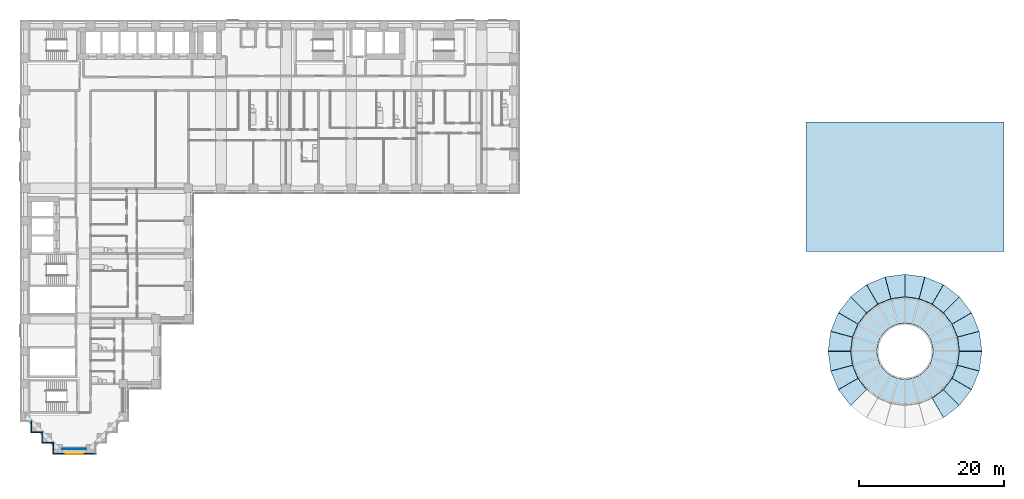
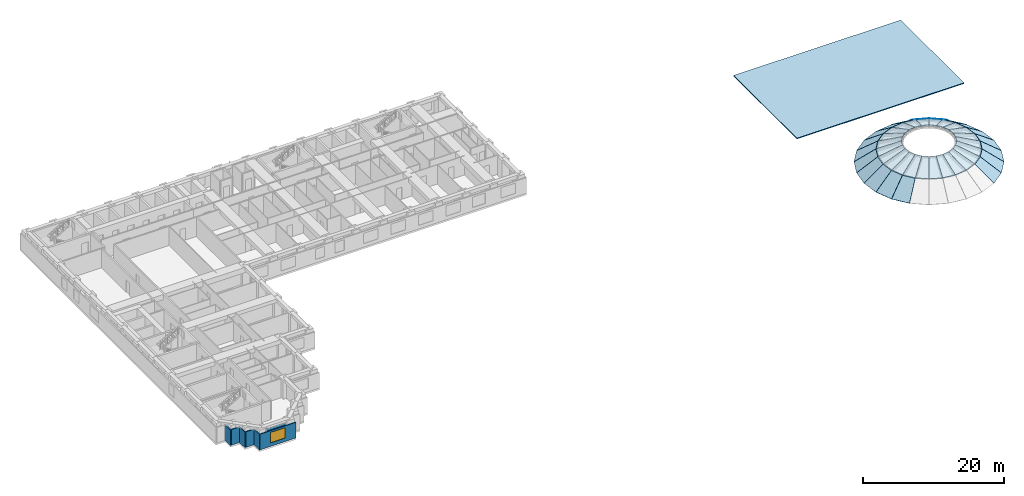
# One storey, part 3 of 14: 44 slabs, 7 walls, 1 window, 1 opening.
"""IFC4 building model written with IfcOpenShell, lengths in metres."""

import ifcopenshell
import ifcopenshell.guid

model = None  # the IFC model being written
_history = None  # IfcOwnerHistory: only IFC2X3 demands one
_inside = {}  # id of a spatial element -> (the spatial element, [elements in it])
_under = {}  # id of a project, library or spatial element -> (it, [spatial elements below it])
_declared = {}  # id of a project -> (the project, [libraries it declares])
_typed = {}  # id of a type object -> (the type object, [elements of that type])
_made_of = {}  # id of a material, layer set ... -> (it, [elements and type objects made of it])


def new_model(schema):
    """Start an empty IFC model of exactly this schema.

    Asked for "IFC4X3", IfcOpenShell would pick the latest addendum, in which some entities
    have other attributes; the version numbers below select the first issue.
    IFC2X3 requires an IfcOwnerHistory on every rooted entity: one is made here for all.
    """
    global model, _history
    if schema == "IFC4X3":
        model = ifcopenshell.file(schema_version=(4, 3, 0, 0))
    else:
        model = ifcopenshell.file(schema=schema)
    _inside.clear()
    _under.clear()
    _declared.clear()
    _typed.clear()
    _made_of.clear()
    _history = None
    if model.schema == "IFC2X3":
        org = make("IfcOrganization", Name="unknown")
        user = make(
            "IfcPersonAndOrganization",
            ThePerson=make("IfcPerson", FamilyName="unknown"),
            TheOrganization=org,
        )
        app = make(
            "IfcApplication",
            ApplicationDeveloper=org,
            Version="unknown",
            ApplicationFullName="unknown",
            ApplicationIdentifier="unknown",
        )
        _history = make(
            "IfcOwnerHistory",
            OwningUser=user,
            OwningApplication=app,
            ChangeAction="ADDED",
            CreationDate=0,
        )
    return model


def make(cls, **values):
    """One entity of the class cls with the attributes given. An attribute that is None is left unset."""
    return model.create_entity(
        cls, **{name: value for name, value in values.items() if value is not None}
    )


def rooted(cls, **values):
    """An entity with a GlobalId (a new one), such as an element, a storey or a relation."""
    return make(cls, GlobalId=ifcopenshell.guid.new(), OwnerHistory=_history, **values)


def si_unit(unit_type, name, prefix=None):
    """IfcSIUnit, for example si_unit("LENGTHUNIT", "METRE", prefix="MILLI")."""
    return make("IfcSIUnit", UnitType=unit_type, Prefix=prefix, Name=name)


def assignment(units):
    """IfcUnitAssignment: the units of a project."""
    return None if units is None else make("IfcUnitAssignment", Units=units)


def point(xyz):
    """IfcCartesianPoint."""
    return None if xyz is None else make("IfcCartesianPoint", Coordinates=xyz)


def direction(xyz):
    """IfcDirection."""
    return None if xyz is None else make("IfcDirection", DirectionRatios=xyz)


def frame(location, z_axis=None, x_axis=None):
    """IfcAxis2Placement3D, a coordinate frame: its origin and axes. An axis left out is left unset."""
    return make(
        "IfcAxis2Placement3D",
        Location=point(location),
        Axis=direction(z_axis),
        RefDirection=direction(x_axis),
    )


def frame_2d(location, x_axis=None):
    """IfcAxis2Placement2D, a coordinate frame in the plane: its origin and x axis."""
    return make(
        "IfcAxis2Placement2D", Location=point(location), RefDirection=direction(x_axis)
    )


def origin():
    """The frame at (0, 0, 0) with its axes left unset."""
    return frame((0.0, 0.0, 0.0))


def place(relative_to, where):
    """IfcLocalPlacement: puts the frame where relative to a parent placement (None: the world)."""
    return make(
        "IfcLocalPlacement", PlacementRelTo=relative_to, RelativePlacement=where
    )


def context(
    kind, dimensions, precision=None, world=None, true_north=None, identifier=None
):
    """IfcGeometricRepresentationContext, for example the 3D "Model" context."""
    return make(
        "IfcGeometricRepresentationContext",
        ContextIdentifier=identifier,
        ContextType=kind,
        CoordinateSpaceDimension=dimensions,
        Precision=precision,
        WorldCoordinateSystem=world,
        TrueNorth=true_north,
    )


def subcontext(parent, identifier, kind, view, scale=None):
    """IfcGeometricRepresentationSubContext, for example "Body" below "Model"."""
    return make(
        "IfcGeometricRepresentationSubContext",
        ContextIdentifier=identifier,
        ContextType=kind,
        ParentContext=parent,
        TargetScale=scale,
        TargetView=view,
    )


def project(units=None, contexts=None):
    """IfcProject with its units and contexts."""
    return rooted(
        "IfcProject",
        Name="project",
        RepresentationContexts=contexts,
        UnitsInContext=assignment(units),
    )


def spatial(cls, under=None, at=None, **own):
    """A site, building, storey or space (cls), placed at a placement, below another one or the project."""
    s = rooted(cls, ObjectPlacement=at, **own)
    if under is not None:
        _under.setdefault(under.id(), (under, []))[1].append(s)
    return s


def polyline(points):
    """IfcPolyline through the points."""
    return make("IfcPolyline", Points=[point(p) for p in points])


def profile(cls, at=None, kind="AREA", **sizes):
    """A parametric profile (cls). Its sizes go by their IFC names, for example OverallWidth=200.0."""
    return make(cls, ProfileType=kind, Position=at, **sizes)


def rectangle(**sizes):
    """IfcRectangleProfileDef."""
    return profile("IfcRectangleProfileDef", **sizes)


def outline(outer, holes=None, kind="AREA"):
    """IfcArbitraryClosedProfileDef: a profile drawn as a closed curve; with holes, ...WithVoids."""
    if holes is None:
        return make("IfcArbitraryClosedProfileDef", ProfileType=kind, OuterCurve=outer)
    return make(
        "IfcArbitraryProfileDefWithVoids",
        ProfileType=kind,
        OuterCurve=outer,
        InnerCurves=holes,
    )


def extrude(swept, where, along, depth):
    """IfcExtrudedAreaSolid: the profile swept, set in the frame where, extruded along a direction by depth."""
    return make(
        "IfcExtrudedAreaSolid",
        SweptArea=swept,
        Position=where,
        ExtrudedDirection=direction(along),
        Depth=depth,
    )


def shape(context_of_items, identifier, shape_type, items):
    """IfcShapeRepresentation: the items that make up one representation, for example the "Body"."""
    return make(
        "IfcShapeRepresentation",
        ContextOfItems=context_of_items,
        RepresentationIdentifier=identifier,
        RepresentationType=shape_type,
        Items=items,
    )


def material(Name=None, Category=None):
    """IfcMaterial."""
    return make("IfcMaterial", Name=Name, Category=Category)


def layer(
    of_material, thickness, ventilated=None, Name=None, Category=None, Priority=None
):
    """IfcMaterialLayer: one layer of a wall or slab, of a material (None: an air gap)."""
    return make(
        "IfcMaterialLayer",
        Material=of_material,
        LayerThickness=thickness,
        IsVentilated=ventilated,
        Name=Name,
        Category=Category,
        Priority=Priority,
    )


def layer_set(layers, Name=None):
    """IfcMaterialLayerSet."""
    return make("IfcMaterialLayerSet", MaterialLayers=layers, LayerSetName=Name)


def made_of(thing, what):
    """Note that an element or type object is made of a material, layer set ...; save() writes the relation."""
    if what is not None:
        _made_of.setdefault(what.id(), (what, []))[1].append(thing)
    return thing


def type_object(cls, material=None, **own):
    """A type object (cls), such as IfcWallType, which elements share."""
    return made_of(rooted(cls, **own), material)


def element(
    cls,
    number,
    at=None,
    inside=None,
    cuts=None,
    type_object=None,
    material=None,
    context=None,
    identifier="Body",
    shape_type=None,
    held_by="IfcProductDefinitionShape",
    body=None,
    shapes=None,
    **own,
):
    """One element of the class cls, such as IfcWall. Its Tag is "e" and its number.

    at: its placement. inside: the storey or other place that contains it. cuts: it is an
    opening in that element (IfcRelVoidsElement). A single representation is given by context,
    identifier, shape_type and body (its items); several are given by shapes. held_by: the class
    of the entity that holds the representations. save() writes the other relations.
    """
    e = rooted(cls, Tag="e%d" % number, ObjectPlacement=at, **own)
    if body is not None:
        shapes = [shape(context, identifier, shape_type, body)]
    if shapes is not None:
        e.Representation = make(held_by, Representations=shapes)
    if inside is not None:
        _inside.setdefault(inside.id(), (inside, []))[1].append(e)
    if cuts is not None:
        rooted(
            "IfcRelVoidsElement", RelatingBuildingElement=cuts, RelatedOpeningElement=e
        )
    if type_object is not None:
        _typed.setdefault(type_object.id(), (type_object, []))[1].append(e)
    return made_of(e, material)


def fill(opening, filler):
    """IfcRelFillsElement: the door or window that sits in an opening."""
    return rooted(
        "IfcRelFillsElement",
        RelatingOpeningElement=opening,
        RelatedBuildingElement=filler,
    )


def aggregate(whole, parts):
    """IfcRelAggregates: a whole, such as a stair, and the parts it consists of."""
    return rooted("IfcRelAggregates", RelatingObject=whole, RelatedObjects=parts)


def save(model, path):
    """Write the relations noted so far, then the file.

    IfcRelAggregates (storeys below a building ...), IfcRelContainedInSpatialStructure (elements
    in a storey), IfcRelDefinesByType, IfcRelAssociatesMaterial and IfcRelDeclares: one each for
    every whole, place, type object, material and project.
    """
    for whole, parts in _under.values():
        aggregate(whole, parts)
    for where, things in _inside.values():
        rooted(
            "IfcRelContainedInSpatialStructure",
            RelatedElements=things,
            RelatingStructure=where,
        )
    for kind, things in _typed.values():
        rooted("IfcRelDefinesByType", RelatedObjects=things, RelatingType=kind)
    for what, things in _made_of.values():
        rooted("IfcRelAssociatesMaterial", RelatedObjects=things, RelatingMaterial=what)
    for by, libraries in _declared.values():
        rooted("IfcRelDeclares", RelatingContext=by, RelatedDefinitions=libraries)
    model.write(path)


model = new_model("IFC4")

# Units and contexts
model_context = context("Model", 3, precision=1e-05, world=origin(), true_north=direction((0.0, 1.0)))
body_context = subcontext(model_context, "Body", "Model", "MODEL_VIEW")
ifc_project = project(units=[si_unit("LENGTHUNIT", "METRE"), si_unit("AREAUNIT", "SQUARE_METRE"), si_unit("VOLUMEUNIT", "CUBIC_METRE"), si_unit("PLANEANGLEUNIT", "RADIAN"), si_unit("MASSUNIT", "GRAM", prefix="KILO")], contexts=[model_context])

# Site, building, storey
site_placement = place(None, origin())
site = spatial("IfcSite", under=ifc_project, at=site_placement, CompositionType="ELEMENT")
building_placement = place(site_placement, origin())
building = spatial("IfcBuilding", under=site, at=building_placement, Name="Firuza Court", CompositionType="ELEMENT")
storey_placement = place(building_placement, frame((0.0, 0.0, 32.60009765625)))
storey = spatial("IfcBuildingStorey", under=building, at=storey_placement, Name="L06", CompositionType="ELEMENT", Elevation=32.60009765625)

# Slabs
ifc_material_1 = material(Name="Steel S355", Category="steel")
ifc_layer_1 = layer(ifc_material_1, 0.080078125)
ifc_material_2 = material(Name="Ceramic tile", Category="ceramic")
ifc_layer_2 = layer(ifc_material_2, 0.02001953125)
ifc_layer_set_1 = layer_set([ifc_layer_1, ifc_layer_2], Name="Steel S355")
slab_type_1 = type_object("IfcSlabType", Name="HALL DOME PANEL 100", PredefinedType="ROOF", material=ifc_layer_set_1)
slab_1_placement = place(storey_placement, frame((132.121826171875, 13.507568359375, -0.01220703125), z_axis=(0.580177298079, 0.076367085606, 0.810902195724), x_axis=(-0.813277140181, -2.62058e-07, 0.581876527503)))
element("IfcSlab", 1, at=slab_1_placement, inside=storey, type_object=slab_type_1, Name="Dome roof panel 2.1", PredefinedType="ROOF", context=body_context, shape_type="SweptSolid", body=[
    extrude(outline(polyline([(0.0, 0.0), (3.8172716703525045, 2.7755575615628914e-17), (4.02396586726936, -1.9363196151651076), (0.2926678637294852, -2.7421376075512924), (0.0, 0.0)])), origin(), (0.0, 0.0, -1.0), 0.10009765625),
])
slab_2_placement = place(storey_placement, frame((131.7578125, 16.256591796875, -0.01220703125), z_axis=(0.540668609245, 0.223932280643, 0.810883338503), x_axis=(-0.785546268124, -0.210489375428, 0.581903156434)))
element("IfcSlab", 2, at=slab_2_placement, inside=storey, type_object=slab_type_1, Name="Dome roof panel 2.2", PredefinedType="ROOF", context=body_context, shape_type="SweptSolid", body=[
    extrude(outline(polyline([(0.0, 0.0), (3.817127616424129, 1.6653345369377348e-16), (4.0237660448386094, -1.936275083729707), (0.2926451021096259, -2.7419077937562903), (0.0, 0.0)])), origin(), (0.0, 0.0, -1.0), 0.10009765625),
])
slab_3_placement = place(storey_placement, frame((130.695068359375, 18.817626953125, -0.01220703125), z_axis=(0.464257839017, 0.356247823098, 0.810895891868), x_axis=(-0.704326132647, -0.406617897655, 0.581881933193)))
element("IfcSlab", 3, at=slab_3_placement, inside=storey, type_object=slab_type_1, Name="Dome roof panel 2.3", PredefinedType="ROOF", context=body_context, shape_type="SweptSolid", body=[
    extrude(outline(polyline([(0.0, 0.0), (3.8173784473455776, -1.6653345369377348e-16), (4.024025253409837, -1.9362394639089362), (0.2929560139954468, -2.7421326271989837), (0.0, 0.0)])), origin(), (0.0, 0.0, -1.0), 0.10009765625),
])
slab_4_placement = place(storey_placement, frame((129.00537109375, 21.01611328125, -0.01220703125), z_axis=(0.356247823098, 0.464257839017, 0.810895891868), x_axis=(-0.57506833627, -0.575070853754, 0.581884801127)))
element("IfcSlab", 4, at=slab_4_placement, inside=storey, type_object=slab_type_1, Name="Dome roof panel 2.4", PredefinedType="ROOF", context=body_context, shape_type="SweptSolid", body=[
    extrude(outline(polyline([(0.0, 0.0), (3.817111664589067, -5.273559366969494e-16), (4.0239142614976355, -1.9362228306594251), (0.2925842529405297, -2.742172318840764), (0.0, 0.0)])), origin(), (0.0, 0.0, -1.0), 0.10009765625),
])
slab_5_placement = place(storey_placement, frame((126.80419921875, 22.70263671875, -0.01220703125), z_axis=(0.223932280643, 0.540668609245, 0.810883338503), x_axis=(-0.40659165472, -0.704324297844, 0.581902491641)))
element("IfcSlab", 5, at=slab_5_placement, inside=storey, type_object=slab_type_1, Name="Dome roof panel 2.5", PredefinedType="ROOF", context=body_context, shape_type="SweptSolid", body=[
    extrude(outline(polyline([(0.0, 0.0), (3.8171072231122345, 0.0), (4.02379085265644, -1.9362702593513446), (0.29264997600664944, -2.7419072735585988), (0.0, 0.0)])), origin(), (0.0, 0.0, -1.0), 0.10009765625),
])
slab_6_placement = place(storey_placement, frame((124.24169921875, 23.761962890625, -0.01220703125), z_axis=(0.076367085606, 0.580177298079, 0.810902195724), x_axis=(-0.210479059153, -0.785570024424, 0.581874816764)))
element("IfcSlab", 6, at=slab_6_placement, inside=storey, type_object=slab_type_1, Name="Dome roof panel 2.6", PredefinedType="ROOF", context=body_context, shape_type="SweptSolid", body=[
    extrude(outline(polyline([(0.0, 0.0), (3.8173194034654676, 2.7755575615628914e-17), (4.024030830309877, -1.9363177758633017), (0.29277948424093353, -2.7421256920160895), (0.0, 0.0)])), origin(), (0.0, 0.0, -1.0), 0.10009765625),
])
slab_7_placement = place(storey_placement, frame((121.492431640625, 24.121826171875, -0.01220703125), z_axis=(-0.076367085606, 0.580177298079, 0.810902195724), x_axis=(2.62058e-07, -0.813277140181, 0.581876527503)))
element("IfcSlab", 7, at=slab_7_placement, inside=storey, type_object=slab_type_1, Name="Dome roof panel 2.7", PredefinedType="ROOF", context=body_context, shape_type="SweptSolid", body=[
    extrude(outline(polyline([(0.0, 0.0), (3.8172716703525045, 2.7755575615628914e-17), (4.02396586726936, -1.9363196151651076), (0.2926678637294852, -2.7421376075512924), (0.0, 0.0)])), origin(), (0.0, 0.0, -1.0), 0.10009765625),
])
slab_8_placement = place(storey_placement, frame((118.743408203125, 23.7578125, -0.01220703125), z_axis=(-0.223932280643, 0.540668609245, 0.810883338503), x_axis=(0.210489375428, -0.785546268124, 0.581903156434)))
element("IfcSlab", 8, at=slab_8_placement, inside=storey, type_object=slab_type_1, Name="Dome roof panel 2.8", PredefinedType="ROOF", context=body_context, shape_type="SweptSolid", body=[
    extrude(outline(polyline([(0.0, 0.0), (3.817127616424129, 1.6653345369377348e-16), (4.0237660448386094, -1.936275083729707), (0.2926451021096259, -2.7419077937562903), (0.0, 0.0)])), origin(), (0.0, 0.0, -1.0), 0.10009765625),
])
slab_9_placement = place(storey_placement, frame((116.182373046875, 22.695068359375, -0.01220703125), z_axis=(-0.356247823098, 0.464257839017, 0.810895891868), x_axis=(0.406617897655, -0.704326132647, 0.581881933193)))
element("IfcSlab", 9, at=slab_9_placement, inside=storey, type_object=slab_type_1, Name="Dome roof panel 2.9", PredefinedType="ROOF", context=body_context, shape_type="SweptSolid", body=[
    extrude(outline(polyline([(0.0, 0.0), (3.8173784473455776, -1.6653345369377348e-16), (4.024025253409837, -1.9362394639089362), (0.2929560139954468, -2.7421326271989837), (0.0, 0.0)])), origin(), (0.0, 0.0, -1.0), 0.10009765625),
])
slab_10_placement = place(storey_placement, frame((113.98388671875, 21.00537109375, -0.01220703125), z_axis=(-0.464257839017, 0.356247823098, 0.810895891868), x_axis=(0.575070853754, -0.57506833627, 0.581884801127)))
element("IfcSlab", 10, at=slab_10_placement, inside=storey, type_object=slab_type_1, Name="Dome roof panel 2.10", PredefinedType="ROOF", context=body_context, shape_type="SweptSolid", body=[
    extrude(outline(polyline([(0.0, 0.0), (3.817111664589067, -5.273559366969494e-16), (4.0239142614976355, -1.9362228306594251), (0.2925842529405297, -2.742172318840764), (0.0, 0.0)])), origin(), (0.0, 0.0, -1.0), 0.10009765625),
])
slab_11_placement = place(storey_placement, frame((112.29736328125, 18.80419921875, -0.01220703125), z_axis=(-0.540668609245, 0.223932280643, 0.810883338503), x_axis=(0.704324297844, -0.40659165472, 0.581902491641)))
element("IfcSlab", 11, at=slab_11_placement, inside=storey, type_object=slab_type_1, Name="Dome roof panel 2.11", PredefinedType="ROOF", context=body_context, shape_type="SweptSolid", body=[
    extrude(outline(polyline([(0.0, 0.0), (3.8171072231122345, 0.0), (4.02379085265644, -1.9362702593513446), (0.29264997600664944, -2.7419072735585988), (0.0, 0.0)])), origin(), (0.0, 0.0, -1.0), 0.10009765625),
])
slab_12_placement = place(storey_placement, frame((111.238037109375, 16.24169921875, -0.01220703125), z_axis=(-0.580177298079, 0.076367085606, 0.810902195724), x_axis=(0.785570024424, -0.210479059153, 0.581874816764)))
element("IfcSlab", 12, at=slab_12_placement, inside=storey, type_object=slab_type_1, Name="Dome roof panel 2.12", PredefinedType="ROOF", context=body_context, shape_type="SweptSolid", body=[
    extrude(outline(polyline([(0.0, 0.0), (3.8173194034654676, 2.7755575615628914e-17), (4.024030830309877, -1.9363177758633017), (0.29277948424093353, -2.7421256920160895), (0.0, 0.0)])), origin(), (0.0, 0.0, -1.0), 0.10009765625),
])
slab_13_placement = place(storey_placement, frame((110.878173828125, 13.492431640625, -0.01220703125), z_axis=(-0.580177298079, -0.076367085606, 0.810902195724), x_axis=(0.813277140181, 2.62058e-07, 0.581876527503)))
element("IfcSlab", 13, at=slab_13_placement, inside=storey, type_object=slab_type_1, Name="Dome roof panel 2.13", PredefinedType="ROOF", context=body_context, shape_type="SweptSolid", body=[
    extrude(outline(polyline([(0.0, 0.0), (3.8172716703525045, 2.7755575615628914e-17), (4.02396586726936, -1.9363196151651076), (0.2926678637294852, -2.7421376075512924), (0.0, 0.0)])), origin(), (0.0, 0.0, -1.0), 0.10009765625),
])
slab_14_placement = place(storey_placement, frame((111.2421875, 10.743408203125, -0.01220703125), z_axis=(-0.540668609245, -0.223932280643, 0.810883338503), x_axis=(0.785546268124, 0.210489375428, 0.581903156434)))
element("IfcSlab", 14, at=slab_14_placement, inside=storey, type_object=slab_type_1, Name="Dome roof panel 2.14", PredefinedType="ROOF", context=body_context, shape_type="SweptSolid", body=[
    extrude(outline(polyline([(0.0, 0.0), (3.817127616424129, 1.6653345369377348e-16), (4.0237660448386094, -1.936275083729707), (0.2926451021096259, -2.7419077937562903), (0.0, 0.0)])), origin(), (0.0, 0.0, -1.0), 0.10009765625),
])
for number, where, z_axis, x_axis, name in (
    (15, (112.304931640625, 8.182373046875, -0.01220703125), (-0.464257839017, -0.356247823098, 0.810895891868), (0.704326132647, 0.406617897655, 0.581881933193), "Dome roof panel 2.15"),
    (16, (126.817626953125, 4.304931640625, -0.01220703125), (0.356247823098, -0.464257839017, 0.810895891868), (-0.406617897655, 0.704326132647, 0.581881933193), "Dome roof panel 2.21"),
):
    element("IfcSlab", number, at=place(storey_placement, frame(where, z_axis=z_axis, x_axis=x_axis)), inside=storey, type_object=slab_type_1, Name=name, PredefinedType="ROOF", context=body_context, shape_type="SweptSolid", body=[
        extrude(outline(polyline([(0.0, 0.0), (3.8173784473455776, -1.6653345369377348e-16), (4.024025253409837, -1.9362394639089362), (0.2929560139954468, -2.7421326271989837), (0.0, 0.0)])), origin(), (0.0, 0.0, -1.0), 0.10009765625),
    ])
slab_15_placement = place(storey_placement, frame((129.01611328125, 5.99462890625, -0.01220703125), z_axis=(0.464257839017, -0.356247823098, 0.810895891868), x_axis=(-0.575070853754, 0.57506833627, 0.581884801127)))
element("IfcSlab", 17, at=slab_15_placement, inside=storey, type_object=slab_type_1, Name="Dome roof panel 2.22", PredefinedType="ROOF", context=body_context, shape_type="SweptSolid", body=[
    extrude(outline(polyline([(0.0, 0.0), (3.817111664589067, -5.273559366969494e-16), (4.0239142614976355, -1.9362228306594251), (0.2925842529405297, -2.742172318840764), (0.0, 0.0)])), origin(), (0.0, 0.0, -1.0), 0.10009765625),
])
slab_16_placement = place(storey_placement, frame((130.70263671875, 8.19580078125, -0.01220703125), z_axis=(0.540668609245, -0.223932280643, 0.810883338503), x_axis=(-0.704324297844, 0.40659165472, 0.581902491641)))
element("IfcSlab", 18, at=slab_16_placement, inside=storey, type_object=slab_type_1, Name="Dome roof panel 2.23", PredefinedType="ROOF", context=body_context, shape_type="SweptSolid", body=[
    extrude(outline(polyline([(0.0, 0.0), (3.8171072231122345, 0.0), (4.02379085265644, -1.9362702593513446), (0.29264997600664944, -2.7419072735585988), (0.0, 0.0)])), origin(), (0.0, 0.0, -1.0), 0.10009765625),
])
slab_17_placement = place(storey_placement, frame((131.761962890625, 10.75830078125, -0.01220703125), z_axis=(0.580177298079, -0.076367085606, 0.810902195724), x_axis=(-0.785570024424, 0.210479059153, 0.581874816764)))
element("IfcSlab", 19, at=slab_17_placement, inside=storey, type_object=slab_type_1, Name="Dome roof panel 2.24", PredefinedType="ROOF", context=body_context, shape_type="SweptSolid", body=[
    extrude(outline(polyline([(0.0, 0.0), (3.8173194034654676, 2.7755575615628914e-17), (4.024030830309877, -1.9363177758633017), (0.29277948424093353, -2.7421256920160895), (0.0, 0.0)])), origin(), (0.0, 0.0, -1.0), 0.10009765625),
])
slab_18_placement = place(storey_placement, frame((128.9521484375, 13.5048828125, 2.24462890625), z_axis=(0.363635893688, 0.047884455506, 0.930309634338), x_axis=(-0.931378032271, -1.73208e-07, 0.364053513926)))
element("IfcSlab", 20, at=slab_18_placement, inside=storey, type_object=slab_type_1, Name="Dome roof panel 3.1", PredefinedType="ROOF", context=body_context, shape_type="SweptSolid", body=[
    extrude(outline(polyline([(0.0, 0.0), (3.8171190203138936, 6.938893903907228e-18), (3.93968055611147, -1.0001714350207196), (0.23534543501276423, -1.9213928980335504), (0.0, 0.0)])), origin(), (0.0, 0.0, -1.0), 0.10009765625),
])
slab_19_placement = place(storey_placement, frame((128.697021484375, 15.433349609375, 2.24462890625), z_axis=(0.33885079683, 0.140346281559, 0.930313419628), x_axis=(-0.899644293753, -0.241060995223, 0.364046344989)))
element("IfcSlab", 21, at=slab_19_placement, inside=storey, type_object=slab_type_1, Name="Dome roof panel 3.2", PredefinedType="ROOF", context=body_context, shape_type="SweptSolid", body=[
    extrude(outline(polyline([(0.0, 0.0), (3.817164873682102, 0.0), (3.939731120837208, -1.000409534594563), (0.23523142974590922, -1.9215446815725932), (0.0, 0.0)])), origin(), (0.0, 0.0, -1.0), 0.10009765625),
])
slab_20_placement = place(storey_placement, frame((127.951416015625, 17.230224609375, 2.24462890625), z_axis=(0.290986718929, 0.223274358869, 0.930309244326), x_axis=(-0.8065949991, -0.465690219016, 0.364056489216)))
element("IfcSlab", 22, at=slab_20_placement, inside=storey, type_object=slab_type_1, Name="Dome roof panel 3.3", PredefinedType="ROOF", context=body_context, shape_type="SweptSolid", body=[
    extrude(outline(polyline([(0.0, 0.0), (3.817106824931286, 1.3877787807814457e-16), (3.9396258106390167, -1.00034972442699), (0.23529709297415458, -1.9215549124935474), (0.0, 0.0)])), origin(), (0.0, 0.0, -1.0), 0.10009765625),
])
slab_21_placement = place(storey_placement, frame((126.76611328125, 18.77294921875, 2.24462890625), z_axis=(0.223274358869, 0.290986718929, 0.930309244326), x_axis=(-0.658583361044, -0.658583248013, 0.364055026052)))
element("IfcSlab", 23, at=slab_21_placement, inside=storey, type_object=slab_type_1, Name="Dome roof panel 3.4", PredefinedType="ROOF", context=body_context, shape_type="SweptSolid", body=[
    extrude(outline(polyline([(0.0, 0.0), (3.817154731869975, 3.191891195797325e-16), (3.9396744596929203, -1.0003496335352942), (0.23539223295159373, -1.9215432600793134), (0.0, 0.0)])), origin(), (0.0, 0.0, -1.0), 0.10009765625),
])
slab_22_placement = place(storey_placement, frame((125.221923828125, 19.956298828125, 2.24462890625), z_axis=(0.140346281559, 0.33885079683, 0.930313419628), x_axis=(-0.465664893142, -0.806614615557, 0.364045421979)))
element("IfcSlab", 24, at=slab_22_placement, inside=storey, type_object=slab_type_1, Name="Dome roof panel 3.5", PredefinedType="ROOF", context=body_context, shape_type="SweptSolid", body=[
    extrude(outline(polyline([(0.0, 0.0), (3.817303750069382, -4.649058915617843e-16), (3.9397634204464596, -1.0004225862007188), (0.23539850184576083, -1.9215242215879025), (0.0, 0.0)])), origin(), (0.0, 0.0, -1.0), 0.10009765625),
])
slab_23_placement = place(storey_placement, frame((123.424072265625, 20.699462890625, 2.24462890625), z_axis=(0.047884455506, 0.363635893688, 0.930309634338), x_axis=(-0.241059892592, -0.89964073442, 0.364055870926)))
element("IfcSlab", 25, at=slab_23_placement, inside=storey, type_object=slab_type_1, Name="Dome roof panel 3.6", PredefinedType="ROOF", context=body_context, shape_type="SweptSolid", body=[
    extrude(outline(polyline([(0.0, 0.0), (3.8171648737408326, 1.0408340855860843e-16), (3.9396040154970144, -1.0001864256499764), (0.23531339246570906, -1.9213968225542044), (0.0, 0.0)])), origin(), (0.0, 0.0, -1.0), 0.10009765625),
])
slab_24_placement = place(storey_placement, frame((121.4951171875, 20.9521484375, 2.24462890625), z_axis=(-0.047884455506, 0.363635893688, 0.930309634338), x_axis=(1.73208e-07, -0.931378032271, 0.364053513926)))
element("IfcSlab", 26, at=slab_24_placement, inside=storey, type_object=slab_type_1, Name="Dome roof panel 3.7", PredefinedType="ROOF", context=body_context, shape_type="SweptSolid", body=[
    extrude(outline(polyline([(0.0, 0.0), (3.8171190203138936, 6.938893903907228e-18), (3.93968055611147, -1.0001714350207196), (0.23534543501276423, -1.9213928980335504), (0.0, 0.0)])), origin(), (0.0, 0.0, -1.0), 0.10009765625),
])
slab_25_placement = place(storey_placement, frame((119.566650390625, 20.697021484375, 2.24462890625), z_axis=(-0.140346281559, 0.33885079683, 0.930313419628), x_axis=(0.241060995223, -0.899644293753, 0.364046344989)))
element("IfcSlab", 27, at=slab_25_placement, inside=storey, type_object=slab_type_1, Name="Dome roof panel 3.8", PredefinedType="ROOF", context=body_context, shape_type="SweptSolid", body=[
    extrude(outline(polyline([(0.0, 0.0), (3.817164873682102, 0.0), (3.939731120837208, -1.000409534594563), (0.23523142974590922, -1.9215446815725932), (0.0, 0.0)])), origin(), (0.0, 0.0, -1.0), 0.10009765625),
])
slab_26_placement = place(storey_placement, frame((117.769775390625, 19.951416015625, 2.24462890625), z_axis=(-0.223274358869, 0.290986718929, 0.930309244326), x_axis=(0.465690219016, -0.8065949991, 0.364056489216)))
element("IfcSlab", 28, at=slab_26_placement, inside=storey, type_object=slab_type_1, Name="Dome roof panel 3.9", PredefinedType="ROOF", context=body_context, shape_type="SweptSolid", body=[
    extrude(outline(polyline([(0.0, 0.0), (3.817106824931286, 1.3877787807814457e-16), (3.9396258106390167, -1.00034972442699), (0.23529709297415458, -1.9215549124935474), (0.0, 0.0)])), origin(), (0.0, 0.0, -1.0), 0.10009765625),
])
slab_27_placement = place(storey_placement, frame((116.22705078125, 18.76611328125, 2.24462890625), z_axis=(-0.290986718929, 0.223274358869, 0.930309244326), x_axis=(0.658583248013, -0.658583361044, 0.364055026052)))
element("IfcSlab", 29, at=slab_27_placement, inside=storey, type_object=slab_type_1, Name="Dome roof panel 3.10", PredefinedType="ROOF", context=body_context, shape_type="SweptSolid", body=[
    extrude(outline(polyline([(0.0, 0.0), (3.817154731869975, 3.191891195797325e-16), (3.9396744596929203, -1.0003496335352942), (0.23539223295159373, -1.9215432600793134), (0.0, 0.0)])), origin(), (0.0, 0.0, -1.0), 0.10009765625),
])
slab_28_placement = place(storey_placement, frame((115.043701171875, 17.221923828125, 2.24462890625), z_axis=(-0.33885079683, 0.140346281559, 0.930313419628), x_axis=(0.806614615557, -0.465664893142, 0.364045421979)))
element("IfcSlab", 30, at=slab_28_placement, inside=storey, type_object=slab_type_1, Name="Dome roof panel 3.11", PredefinedType="ROOF", context=body_context, shape_type="SweptSolid", body=[
    extrude(outline(polyline([(0.0, 0.0), (3.817303750069382, -4.649058915617843e-16), (3.9397634204464596, -1.0004225862007188), (0.23539850184576083, -1.9215242215879025), (0.0, 0.0)])), origin(), (0.0, 0.0, -1.0), 0.10009765625),
])
slab_29_placement = place(storey_placement, frame((114.300537109375, 15.424072265625, 2.24462890625), z_axis=(-0.363635893688, 0.047884455506, 0.930309634338), x_axis=(0.89964073442, -0.241059892592, 0.364055870926)))
element("IfcSlab", 31, at=slab_29_placement, inside=storey, type_object=slab_type_1, Name="Dome roof panel 3.12", PredefinedType="ROOF", context=body_context, shape_type="SweptSolid", body=[
    extrude(outline(polyline([(0.0, 0.0), (3.8171648737408326, 1.0408340855860843e-16), (3.9396040154970144, -1.0001864256499764), (0.23531339246570906, -1.9213968225542044), (0.0, 0.0)])), origin(), (0.0, 0.0, -1.0), 0.10009765625),
])
slab_30_placement = place(storey_placement, frame((114.0478515625, 13.4951171875, 2.24462890625), z_axis=(-0.363635893688, -0.047884455506, 0.930309634338), x_axis=(0.931378032271, 1.73208e-07, 0.364053513926)))
element("IfcSlab", 32, at=slab_30_placement, inside=storey, type_object=slab_type_1, Name="Dome roof panel 3.13", PredefinedType="ROOF", context=body_context, shape_type="SweptSolid", body=[
    extrude(outline(polyline([(0.0, 0.0), (3.8171190203138936, 6.938893903907228e-18), (3.93968055611147, -1.0001714350207196), (0.23534543501276423, -1.9213928980335504), (0.0, 0.0)])), origin(), (0.0, 0.0, -1.0), 0.10009765625),
])
slab_31_placement = place(storey_placement, frame((114.302978515625, 11.566650390625, 2.24462890625), z_axis=(-0.33885079683, -0.140346281559, 0.930313419628), x_axis=(0.899644293753, 0.241060995223, 0.364046344989)))
element("IfcSlab", 33, at=slab_31_placement, inside=storey, type_object=slab_type_1, Name="Dome roof panel 3.14", PredefinedType="ROOF", context=body_context, shape_type="SweptSolid", body=[
    extrude(outline(polyline([(0.0, 0.0), (3.817164873682102, 0.0), (3.939731120837208, -1.000409534594563), (0.23523142974590922, -1.9215446815725932), (0.0, 0.0)])), origin(), (0.0, 0.0, -1.0), 0.10009765625),
])
slab_32_placement = place(storey_placement, frame((115.048583984375, 9.769775390625, 2.24462890625), z_axis=(-0.290986718929, -0.223274358869, 0.930309244326), x_axis=(0.8065949991, 0.465690219016, 0.364056489216)))
element("IfcSlab", 34, at=slab_32_placement, inside=storey, type_object=slab_type_1, Name="Dome roof panel 3.15", PredefinedType="ROOF", context=body_context, shape_type="SweptSolid", body=[
    extrude(outline(polyline([(0.0, 0.0), (3.817106824931286, 1.3877787807814457e-16), (3.9396258106390167, -1.00034972442699), (0.23529709297415458, -1.9215549124935474), (0.0, 0.0)])), origin(), (0.0, 0.0, -1.0), 0.10009765625),
])
slab_33_placement = place(storey_placement, frame((116.23388671875, 8.22705078125, 2.24462890625), z_axis=(-0.223274358869, -0.290986718929, 0.930309244326), x_axis=(0.658583361044, 0.658583248013, 0.364055026052)))
element("IfcSlab", 35, at=slab_33_placement, inside=storey, type_object=slab_type_1, Name="Dome roof panel 3.16", PredefinedType="ROOF", context=body_context, shape_type="SweptSolid", body=[
    extrude(outline(polyline([(0.0, 0.0), (3.817154731869975, 3.191891195797325e-16), (3.9396744596929203, -1.0003496335352942), (0.23539223295159373, -1.9215432600793134), (0.0, 0.0)])), origin(), (0.0, 0.0, -1.0), 0.10009765625),
])
slab_34_placement = place(storey_placement, frame((117.778076171875, 7.043701171875, 2.24462890625), z_axis=(-0.140346281559, -0.33885079683, 0.930313419628), x_axis=(0.465664893142, 0.806614615557, 0.364045421979)))
element("IfcSlab", 36, at=slab_34_placement, inside=storey, type_object=slab_type_1, Name="Dome roof panel 3.17", PredefinedType="ROOF", context=body_context, shape_type="SweptSolid", body=[
    extrude(outline(polyline([(0.0, 0.0), (3.817303750069382, -4.649058915617843e-16), (3.9397634204464596, -1.0004225862007188), (0.23539850184576083, -1.9215242215879025), (0.0, 0.0)])), origin(), (0.0, 0.0, -1.0), 0.10009765625),
])
slab_35_placement = place(storey_placement, frame((119.575927734375, 6.300537109375, 2.24462890625), z_axis=(-0.047884455506, -0.363635893688, 0.930309634338), x_axis=(0.241059892592, 0.89964073442, 0.364055870926)))
element("IfcSlab", 37, at=slab_35_placement, inside=storey, type_object=slab_type_1, Name="Dome roof panel 3.18", PredefinedType="ROOF", context=body_context, shape_type="SweptSolid", body=[
    extrude(outline(polyline([(0.0, 0.0), (3.8171648737408326, 1.0408340855860843e-16), (3.9396040154970144, -1.0001864256499764), (0.23531339246570906, -1.9213968225542044), (0.0, 0.0)])), origin(), (0.0, 0.0, -1.0), 0.10009765625),
])
slab_36_placement = place(storey_placement, frame((121.5048828125, 6.0478515625, 2.24462890625), z_axis=(0.047884455506, -0.363635893688, 0.930309634338), x_axis=(-1.73208e-07, 0.931378032271, 0.364053513926)))
element("IfcSlab", 38, at=slab_36_placement, inside=storey, type_object=slab_type_1, Name="Dome roof panel 3.19", PredefinedType="ROOF", context=body_context, shape_type="SweptSolid", body=[
    extrude(outline(polyline([(0.0, 0.0), (3.8171190203138936, 6.938893903907228e-18), (3.93968055611147, -1.0001714350207196), (0.23534543501276423, -1.9213928980335504), (0.0, 0.0)])), origin(), (0.0, 0.0, -1.0), 0.10009765625),
])
slab_37_placement = place(storey_placement, frame((123.433349609375, 6.302978515625, 2.24462890625), z_axis=(0.140346281559, -0.33885079683, 0.930313419628), x_axis=(-0.241060995223, 0.899644293753, 0.364046344989)))
element("IfcSlab", 39, at=slab_37_placement, inside=storey, type_object=slab_type_1, Name="Dome roof panel 3.20", PredefinedType="ROOF", context=body_context, shape_type="SweptSolid", body=[
    extrude(outline(polyline([(0.0, 0.0), (3.817164873682102, 0.0), (3.939731120837208, -1.000409534594563), (0.23523142974590922, -1.9215446815725932), (0.0, 0.0)])), origin(), (0.0, 0.0, -1.0), 0.10009765625),
])
slab_38_placement = place(storey_placement, frame((125.230224609375, 7.048583984375, 2.24462890625), z_axis=(0.223274358869, -0.290986718929, 0.930309244326), x_axis=(-0.465690219016, 0.8065949991, 0.364056489216)))
element("IfcSlab", 40, at=slab_38_placement, inside=storey, type_object=slab_type_1, Name="Dome roof panel 3.21", PredefinedType="ROOF", context=body_context, shape_type="SweptSolid", body=[
    extrude(outline(polyline([(0.0, 0.0), (3.817106824931286, 1.3877787807814457e-16), (3.9396258106390167, -1.00034972442699), (0.23529709297415458, -1.9215549124935474), (0.0, 0.0)])), origin(), (0.0, 0.0, -1.0), 0.10009765625),
])
slab_39_placement = place(storey_placement, frame((126.77294921875, 8.23388671875, 2.24462890625), z_axis=(0.290986718929, -0.223274358869, 0.930309244326), x_axis=(-0.658583248013, 0.658583361044, 0.364055026052)))
element("IfcSlab", 41, at=slab_39_placement, inside=storey, type_object=slab_type_1, Name="Dome roof panel 3.22", PredefinedType="ROOF", context=body_context, shape_type="SweptSolid", body=[
    extrude(outline(polyline([(0.0, 0.0), (3.817154731869975, 3.191891195797325e-16), (3.9396744596929203, -1.0003496335352942), (0.23539223295159373, -1.9215432600793134), (0.0, 0.0)])), origin(), (0.0, 0.0, -1.0), 0.10009765625),
])
slab_40_placement = place(storey_placement, frame((127.956298828125, 9.778076171875, 2.24462890625), z_axis=(0.33885079683, -0.140346281559, 0.930313419628), x_axis=(-0.806614615557, 0.465664893142, 0.364045421979)))
element("IfcSlab", 42, at=slab_40_placement, inside=storey, type_object=slab_type_1, Name="Dome roof panel 3.23", PredefinedType="ROOF", context=body_context, shape_type="SweptSolid", body=[
    extrude(outline(polyline([(0.0, 0.0), (3.817303750069382, -4.649058915617843e-16), (3.9397634204464596, -1.0004225862007188), (0.23539850184576083, -1.9215242215879025), (0.0, 0.0)])), origin(), (0.0, 0.0, -1.0), 0.10009765625),
])
slab_41_placement = place(storey_placement, frame((128.699462890625, 11.575927734375, 2.24462890625), z_axis=(0.363635893688, -0.047884455506, 0.930309634338), x_axis=(-0.89964073442, 0.241059892592, 0.364055870926)))
element("IfcSlab", 43, at=slab_41_placement, inside=storey, type_object=slab_type_1, Name="Dome roof panel 3.24", PredefinedType="ROOF", context=body_context, shape_type="SweptSolid", body=[
    extrude(outline(polyline([(0.0, 0.0), (3.8171648737408326, 1.0408340855860843e-16), (3.9396040154970144, -1.0001864256499764), (0.23531339246570906, -1.9213968225542044), (0.0, 0.0)])), origin(), (0.0, 0.0, -1.0), 0.10009765625),
])
ifc_material_3 = material(Name="Steel S355", Category="steel")
ifc_layer_3 = layer(ifc_material_3, 0.14990234375)
ifc_layer_set_2 = layer_set([ifc_layer_3], Name="Steel S355")
slab_type_2 = type_object("IfcSlabType", Name="HALL STAGE ROOF DECK 150", PredefinedType="ROOF", material=ifc_layer_set_2)
slab_42_placement = place(storey_placement, frame((0.0, 0.0, 0.349853515625)))
element("IfcSlab", 44, at=slab_42_placement, inside=storey, type_object=slab_type_2, Name="Stage roof deck L04", PredefinedType="ROOF", context=body_context, shape_type="SweptSolid", body=[
    extrude(outline(polyline([(135.175048828125, 27.25), (135.175048828125, 45.175048828125), (107.824951171875, 45.175048828125), (107.824951171875, 27.25), (135.175048828125, 27.25)])), origin(), (0.0, 0.0, 1.0), 0.150146484375),
])

# Walls
ifc_material_4 = material(Name="Timber stud partition, plasterboard both sides", Category="wood")
ifc_layer_4 = layer(ifc_material_4, 0.10009765625)
ifc_layer_set_3 = layer_set([ifc_layer_4], Name="Timber stud partition, plasterboard both sides")
wall_type_1 = type_object("IfcWallType", Name="Partition wall 100", PredefinedType="PARTITIONING", material=ifc_layer_set_3)
wall_1_placement = place(storey_placement, frame((5.10009765625, 0.0, 0.0), z_axis=(0.0, 0.0, 1.0), x_axis=(1.0, 0.0, 0.0)))
element("IfcWall", 45, at=wall_1_placement, inside=storey, type_object=wall_type_1, Name="Partition wall 100 L06", PredefinedType="PARTITIONING", context=body_context, shape_type="SweptSolid", body=[
    extrude(rectangle(XDim=3.2998046875, YDim=0.10009765625, at=frame_2d((1.64990234375, 0.0))), origin(), (0.0, 0.0, 1.0), 2.699951171875),
])
ifc_layer_5 = layer(ifc_material_2, 0.02001953125)
ifc_material_5 = material(Name="Mineral wool insulation", Category="insulation")
ifc_layer_6 = layer(ifc_material_5, 0.050048828125)
ifc_material_6 = material(Name="Concrete C40/50 precast", Category="concrete")
ifc_layer_7 = layer(ifc_material_6, 0.080078125)
ifc_layer_set_4 = layer_set([ifc_layer_5, ifc_layer_6, ifc_layer_7], Name="Concrete C40/50 precast")
wall_type_2 = type_object("IfcWallType", Name="Precast cladding wall with turquoise TILE PANEL face 150", PredefinedType="STANDARD", material=ifc_layer_set_4)
wall_2_placement = place(storey_placement, frame((0.824951171875, 3.89990234375, 0.0), z_axis=(0.0, 0.0, 1.0), x_axis=(0.0, -1.0, 0.0)))
element("IfcWall", 46, at=wall_2_placement, inside=storey, type_object=wall_type_2, Name="Facade wall L06 W", PredefinedType="STANDARD", context=body_context, shape_type="SweptSolid", body=[
    extrude(rectangle(XDim=1.64990234375, YDim=0.14990234375, at=frame_2d((0.824951171875, 0.0))), origin(), (0.0, 0.0, 1.0), 2.699951171875),
])
wall_3_placement = place(storey_placement, frame((0.89990234375, 2.324951171875, 0.0), z_axis=(0.0, 0.0, 1.0), x_axis=(1.0, 0.0, 0.0)))
element("IfcWall", 47, at=wall_3_placement, inside=storey, type_object=wall_type_2, Name="Facade wall L06 S", PredefinedType="STANDARD", context=body_context, shape_type="SweptSolid", body=[
    extrude(rectangle(XDim=1.35009765625, YDim=0.14990234375, at=frame_2d((0.675048828125, 0.0))), origin(), (0.0, 0.0, 1.0), 2.699951171875),
])
wall_4_placement = place(storey_placement, frame((2.324951171875, 2.39990234375, 0.0), z_axis=(0.0, 0.0, 1.0), x_axis=(0.0, -1.0, 0.0)))
element("IfcWall", 48, at=wall_4_placement, inside=storey, type_object=wall_type_2, Name="Facade wall L06 W", PredefinedType="STANDARD", context=body_context, shape_type="SweptSolid", body=[
    extrude(rectangle(XDim=1.64990234375, YDim=0.14990234375, at=frame_2d((0.824951171875, 0.0))), origin(), (0.0, 0.0, 1.0), 2.699951171875),
])
wall_5_placement = place(storey_placement, frame((2.39990234375, 0.824951171875, 0.0), z_axis=(0.0, 0.0, 1.0), x_axis=(1.0, 0.0, 0.0)))
element("IfcWall", 49, at=wall_5_placement, inside=storey, type_object=wall_type_2, Name="Facade wall L06 S", PredefinedType="STANDARD", context=body_context, shape_type="SweptSolid", body=[
    extrude(rectangle(XDim=1.35009765625, YDim=0.14990234375, at=frame_2d((0.675048828125, 0.0))), origin(), (0.0, 0.0, 1.0), 2.699951171875),
])
wall_6_placement = place(storey_placement, frame((3.824951171875, 0.89990234375, 0.0), z_axis=(0.0, 0.0, 1.0), x_axis=(0.0, -1.0, 0.0)))
element("IfcWall", 50, at=wall_6_placement, inside=storey, type_object=wall_type_2, Name="Facade wall L06 W", PredefinedType="STANDARD", context=body_context, shape_type="SweptSolid", body=[
    extrude(rectangle(XDim=1.64990234375, YDim=0.14990234375, at=frame_2d((0.824951171875, 0.0))), origin(), (0.0, 0.0, 1.0), 2.699951171875),
])

# Wall, opening, window
wall_7_placement = place(storey_placement, frame((3.89990234375, -0.675048828125, 0.0), z_axis=(0.0, 0.0, 1.0), x_axis=(1.0, 0.0, 0.0)))
wall_7 = element("IfcWall", 51, at=wall_7_placement, inside=storey, type_object=wall_type_2, Name="Facade wall L06 S", PredefinedType="STANDARD", context=body_context, shape_type="SweptSolid", body=[
    extrude(rectangle(XDim=5.85009765625, YDim=0.14990234375, at=frame_2d((2.925048828125, 0.0))), origin(), (0.0, 0.0, 1.0), 2.699951171875),
])
opening_placement = place(wall_7_placement, frame((1.64990234375, 0.0, 0.60009765625)))
opening = element("IfcOpeningElement", 52, at=opening_placement, cuts=wall_7, Name="Opening W1", PredefinedType="OPENING", context=body_context, shape_type="SweptSolid", body=[
    extrude(rectangle(XDim=2.39990234375, YDim=1.800048828125, at=frame_2d((1.199951171875, 0.89990234375))), frame((0.0, 0.0869140625, 0.0), z_axis=(0.0, -1.0, 0.0), x_axis=(1.0, 0.0, 0.0)), (0.0, 0.0, 1.0), 0.173828125),
])
ifc_material_7 = material(Name="Aluminium frame, triple clear glazing", Category="aluminium")
window_type = type_object("IfcWindowType", Name="Window W1 2400 x 1800", PartitioningType="SINGLE_PANEL", PredefinedType="WINDOW", material=ifc_material_7)
window_placement = place(opening_placement, origin())
window = element("IfcWindow", 53, at=window_placement, inside=storey, type_object=window_type, Name="Window L06", OverallHeight=1.800048828125, OverallWidth=2.39990234375, PartitioningType="SINGLE_PANEL", PredefinedType="WINDOW", context=body_context, shape_type="SweptSolid", body=[
    extrude(rectangle(XDim=2.39990234375, YDim=1.800048828125, at=frame_2d((1.199951171875, 0.89990234375))), frame((0.0, 0.030029296875, 0.0), z_axis=(0.0, -1.0, 0.0), x_axis=(1.0, 0.0, 0.0)), (0.0, 0.0, 1.0), 0.06005859375),
])
fill(opening, window)

save(model, "model.ifc")
